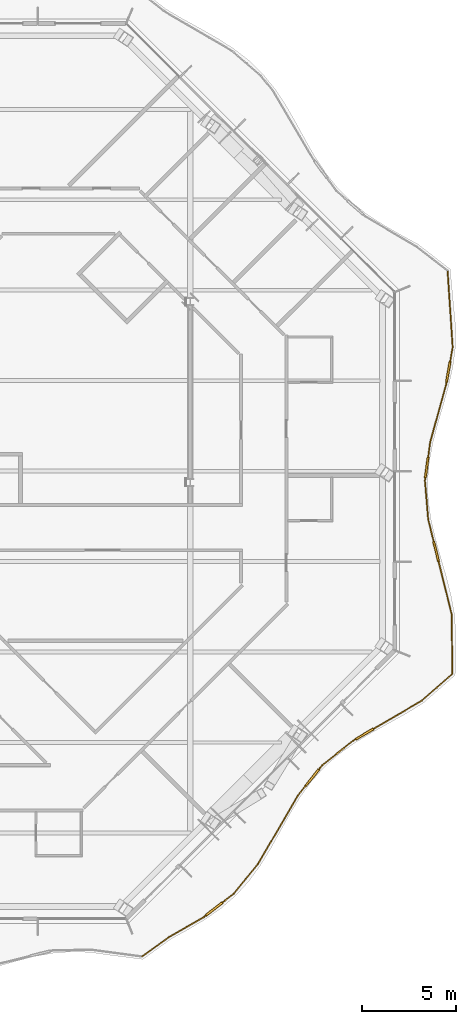
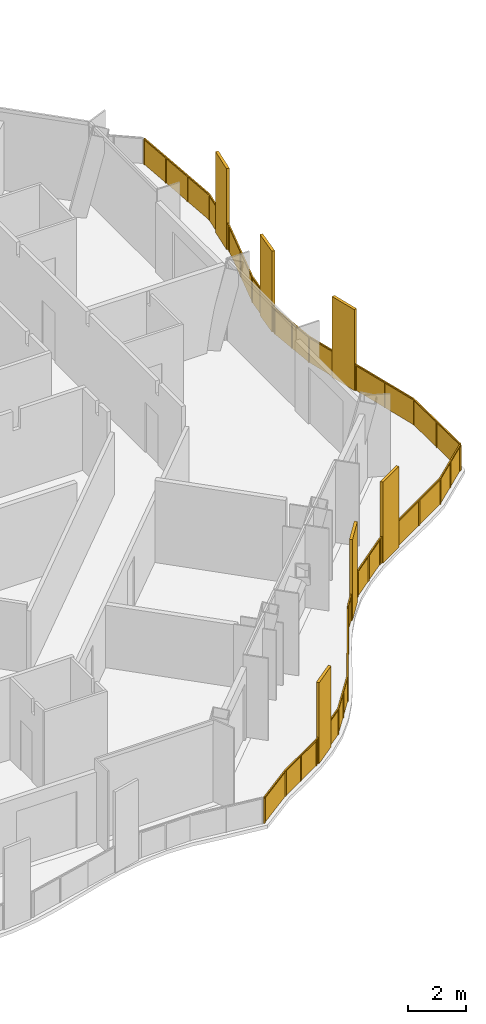
# One storey, part 17 of 19: 2 railings.
"""IFC4 building model written with IfcOpenShell, lengths in metres."""

from ifc_helpers import new_model, si_unit, direction, frame, origin, origin_2d, place, context, subcontext, project, spatial, polyline, rectangle, outline, extrude, material, type_object, element, save


model = new_model("IFC4")

# Units and contexts
model_context = context("Model", 3, precision=1e-05, world=origin(), true_north=direction((0.0, 1.0)))
body_context = subcontext(model_context, "Body", "Model", "MODEL_VIEW")
ifc_project = project(units=[si_unit("LENGTHUNIT", "METRE"), si_unit("AREAUNIT", "SQUARE_METRE"), si_unit("VOLUMEUNIT", "CUBIC_METRE"), si_unit("PLANEANGLEUNIT", "RADIAN"), si_unit("MASSUNIT", "GRAM", prefix="KILO")], contexts=[model_context])

# Site, building, storey
site_placement = place(None, origin())
site = spatial("IfcSite", under=ifc_project, at=site_placement, CompositionType="ELEMENT")
building_placement = place(site_placement, origin())
building = spatial("IfcBuilding", under=site, at=building_placement, Name="Cairn Pilgrim Tower", CompositionType="ELEMENT")
storey_placement = place(building_placement, frame((0.0, 0.0, 193.800048828125)))
storey = spatial("IfcBuildingStorey", under=building, at=storey_placement, Name="L49", CompositionType="ELEMENT", Elevation=193.800048828125)

# Railings
ifc_material = material(Name="Bronze anodised aluminium rail, posts and fin screens with laminated glass infill", Category="aluminium")
railing_type = type_object("IfcRailingType", Name="BALCONY GUARD WITH FIN SCREENS", PredefinedType="GUARDRAIL", material=ifc_material)
railing_1_placement = place(storey_placement, frame((28.6513671875, -25.15283203125, 0.0)))
element("IfcRailing", 1, at=railing_1_placement, inside=storey, type_object=railing_type, Name="Balcony guard BGF-2 with fin screens", PredefinedType="GUARDRAIL", context=body_context, shape_type="SweptSolid", body=[
    extrude(rectangle(XDim=0.050048828125, YDim=0.050048828125, at=origin_2d()), frame((0.0, 0.0, 1.0751953125), z_axis=(0.809139234835, 0.587616965932, 0.0), x_axis=(-0.587616965932, 0.809139234835, 0.0)), (0.0, 0.0, 1.0), 1.77978515625),
    extrude(rectangle(XDim=0.050048828125, YDim=0.050048828125, at=origin_2d()), frame((1.440185546875, 1.0458984375, 1.0751953125), z_axis=(0.867643704603, 0.497186486002, 0.0), x_axis=(-0.497186486002, 0.867643704603, 0.0)), (0.0, 0.0, 1.0), 2.107666015625),
    extrude(rectangle(XDim=1.10009765625, YDim=0.110107421875, at=origin_2d()), frame((3.8203125, 2.524658203125, 0.0), z_axis=(0.0, 0.0, 1.0), x_axis=(0.788064599698, 0.615592549259, 0.0)), (0.0, 0.0, 1.0), 3.39990234375),
    extrude(rectangle(XDim=0.050048828125, YDim=0.050048828125, at=origin_2d()), frame((3.268798828125, 2.09375, 1.0751953125), z_axis=(0.788064599698, 0.615592549259, 0.0), x_axis=(-0.615592549259, 0.788064599698, 0.0)), (0.0, 0.0, 1.0), 0.14990234375),
    extrude(rectangle(XDim=0.050048828125, YDim=0.050048828125, at=origin_2d()), frame((4.25390625, 2.86328125, 1.0751953125), z_axis=(0.788064599698, 0.615592549259, 0.0), x_axis=(-0.615592549259, 0.788064599698, 0.0)), (0.0, 0.0, 1.0), 0.774169921875),
    extrude(rectangle(XDim=0.050048828125, YDim=0.050048828125, at=origin_2d()), frame((4.864013671875, 3.33984375, 1.0751953125), z_axis=(0.632980817128, 0.774167478746, 0.0), x_axis=(-0.774167478746, 0.632980817128, 0.0)), (0.0, 0.0, 1.0), 2.01806640625),
    extrude(rectangle(XDim=0.050048828125, YDim=0.050048828125, at=origin_2d()), frame((6.141357421875, 4.902099609375, 1.0751953125), z_axis=(0.503114016785, 0.864220044962, 0.0), x_axis=(-0.864220044962, 0.503114016785, 0.0)), (0.0, 0.0, 1.0), 4.212158203125),
    extrude(rectangle(XDim=1.10009765625, YDim=0.110107421875, at=origin_2d()), frame((9.022216796875, 9.48779296875, 0.0), z_axis=(0.0, 0.0, 1.0), x_axis=(0.627315671884, 0.778765078704, 0.0)), (0.0, 0.0, 1.0), 3.39990234375),
    extrude(rectangle(XDim=0.050048828125, YDim=0.050048828125, at=origin_2d()), frame((8.260498046875, 8.542236328125, 1.0751953125), z_axis=(0.627315671884, 0.778765078704, 0.0), x_axis=(-0.778765078704, 0.627315671884, 0.0)), (0.0, 0.0, 1.0), 0.664306640625),
    extrude(rectangle(XDim=0.050048828125, YDim=0.050048828125, at=origin_2d()), frame((9.3671875, 9.916015625, 1.0751953125), z_axis=(0.627315671884, 0.778765078704, 0.0), x_axis=(-0.778765078704, 0.627315671884, 0.0)), (0.0, 0.0, 1.0), 0.31201171875),
    extrude(rectangle(XDim=0.050048828125, YDim=0.050048828125, at=origin_2d()), frame((9.56298828125, 10.1591796875, 1.0751953125), z_axis=(0.783578559331, 0.621292717934, 0.0), x_axis=(-0.621292717934, 0.783578559331, 0.0)), (0.0, 0.0, 1.0), 2.07763671875),
    extrude(rectangle(XDim=1.10009765625, YDim=0.110107421875, at=origin_2d()), frame((11.7958984375, 11.80224609375, 0.0), z_axis=(0.0, 0.0, 1.0), x_axis=(0.864090116755, 0.503337133666, 0.0)), (0.0, 0.0, 1.0), 3.39990234375),
    extrude(rectangle(XDim=0.050048828125, YDim=0.050048828125, at=origin_2d()), frame((11.19091796875, 11.449951171875, 1.0751953125), z_axis=(0.864090116755, 0.503337133666, 0.0), x_axis=(-0.503337133666, 0.864090116755, 0.0)), (0.0, 0.0, 1.0), 0.150146484375),
    extrude(rectangle(XDim=0.050048828125, YDim=0.050048828125, at=origin_2d()), frame((12.27099609375, 12.0791015625, 1.0751953125), z_axis=(0.864090116755, 0.503337133666, 0.0), x_axis=(-0.503337133666, 0.864090116755, 0.0)), (0.0, 0.0, 1.0), 2.958740234375),
    extrude(rectangle(XDim=0.050048828125, YDim=0.050048828125, at=origin_2d()), frame((14.82763671875, 13.568359375, 1.0751953125), z_axis=(0.752720326501, 0.658340421114, 0.0), x_axis=(-0.658340421114, 0.752720326501, 0.0)), (0.0, 0.0, 1.0), 2.105712890625),
    extrude(rectangle(XDim=0.050048828125, YDim=0.050048828125, at=origin_2d()), origin(), (0.0, 0.0, 1.0), 1.050048828125),
    extrude(rectangle(XDim=0.050048828125, YDim=0.050048828125, at=origin_2d()), frame((1.440185546875, 1.0458984375, 0.0)), (0.0, 0.0, 1.0), 1.050048828125),
    extrude(rectangle(XDim=0.050048828125, YDim=0.050048828125, at=origin_2d()), frame((2.3544921875, 1.56982421875, 0.0)), (0.0, 0.0, 1.0), 1.050048828125),
    extrude(rectangle(XDim=0.050048828125, YDim=0.050048828125, at=origin_2d()), frame((3.268798828125, 2.09375, 0.0)), (0.0, 0.0, 1.0), 1.050048828125),
    extrude(rectangle(XDim=0.050048828125, YDim=0.050048828125, at=origin_2d()), frame((3.3671875, 2.170654296875, 0.0)), (0.0, 0.0, 1.0), 1.050048828125),
    extrude(rectangle(XDim=0.050048828125, YDim=0.050048828125, at=origin_2d()), frame((4.2734375, 2.878662109375, 0.0)), (0.0, 0.0, 1.0), 1.050048828125),
    extrude(rectangle(XDim=0.050048828125, YDim=0.050048828125, at=origin_2d()), frame((4.864013671875, 3.33984375, 0.0)), (0.0, 0.0, 1.0), 1.050048828125),
    extrude(rectangle(XDim=0.050048828125, YDim=0.050048828125, at=origin_2d()), frame((5.502685546875, 4.12109375, 0.0)), (0.0, 0.0, 1.0), 1.050048828125),
    extrude(rectangle(XDim=0.050048828125, YDim=0.050048828125, at=origin_2d()), frame((6.141357421875, 4.902099609375, 0.0)), (0.0, 0.0, 1.0), 1.050048828125),
    extrude(rectangle(XDim=0.050048828125, YDim=0.050048828125, at=origin_2d()), frame((6.84765625, 6.115478515625, 0.0)), (0.0, 0.0, 1.0), 1.050048828125),
    extrude(rectangle(XDim=0.050048828125, YDim=0.050048828125, at=origin_2d()), frame((7.55419921875, 7.328857421875, 0.0)), (0.0, 0.0, 1.0), 1.050048828125),
    extrude(rectangle(XDim=0.050048828125, YDim=0.050048828125, at=origin_2d()), frame((8.260498046875, 8.542236328125, 0.0)), (0.0, 0.0, 1.0), 1.050048828125),
    extrude(rectangle(XDim=0.050048828125, YDim=0.050048828125, at=origin_2d()), frame((8.661376953125, 9.0400390625, 0.0)), (0.0, 0.0, 1.0), 1.050048828125),
    extrude(rectangle(XDim=0.050048828125, YDim=0.050048828125, at=origin_2d()), frame((9.3828125, 9.935546875, 0.0)), (0.0, 0.0, 1.0), 1.050048828125),
    extrude(rectangle(XDim=0.050048828125, YDim=0.050048828125, at=origin_2d()), frame((9.56298828125, 10.1591796875, 0.0)), (0.0, 0.0, 1.0), 1.050048828125),
    extrude(rectangle(XDim=0.050048828125, YDim=0.050048828125, at=origin_2d()), frame((10.376953125, 10.8046875, 0.0)), (0.0, 0.0, 1.0), 1.050048828125),
    extrude(rectangle(XDim=0.050048828125, YDim=0.050048828125, at=origin_2d()), frame((11.19091796875, 11.449951171875, 0.0)), (0.0, 0.0, 1.0), 1.050048828125),
    extrude(rectangle(XDim=0.050048828125, YDim=0.050048828125, at=origin_2d()), frame((11.298828125, 11.512939453125, 0.0)), (0.0, 0.0, 1.0), 1.050048828125),
    extrude(rectangle(XDim=0.050048828125, YDim=0.050048828125, at=origin_2d()), frame((12.292724609375, 12.091796875, 0.0)), (0.0, 0.0, 1.0), 1.050048828125),
    extrude(rectangle(XDim=0.050048828125, YDim=0.050048828125, at=origin_2d()), frame((13.56005859375, 12.830078125, 0.0)), (0.0, 0.0, 1.0), 1.050048828125),
    extrude(rectangle(XDim=0.050048828125, YDim=0.050048828125, at=origin_2d()), frame((14.82763671875, 13.568359375, 0.0)), (0.0, 0.0, 1.0), 1.050048828125),
    extrude(rectangle(XDim=0.050048828125, YDim=0.050048828125, at=origin_2d()), frame((15.6201171875, 14.261474609375, 0.0)), (0.0, 0.0, 1.0), 1.050048828125),
    extrude(rectangle(XDim=0.050048828125, YDim=0.050048828125, at=origin_2d()), frame((16.41259765625, 14.95458984375, 0.0)), (0.0, 0.0, 1.0), 1.050048828125),
    extrude(outline(polyline([(0.02490234375, 0.0), (1.7548828125, 0.0), (1.7548828125, 1.050048828125), (0.02490234375, 1.050048828125), (0.02490234375, 0.0)])), frame((-0.00341796875, 0.0048828125, 0.0), z_axis=(0.587616965932, -0.809139234835, 0.0), x_axis=(0.809139234835, 0.587616965932, 0.0)), (0.0, 0.0, 1.0), 0.011962890625),
    extrude(outline(polyline([(0.02490234375, 0.0), (1.02880859375, 0.0), (1.02880859375, 1.050048828125), (0.02490234375, 1.050048828125), (0.02490234375, 0.0)])), frame((1.437255859375, 1.051025390625, 0.0), z_axis=(0.497186486002, -0.867643704603, 0.0), x_axis=(0.867643704603, 0.497186486002, 0.0)), (0.0, 0.0, 1.0), 0.011962890625),
    extrude(outline(polyline([(0.02490234375, 0.0), (1.02880859375, 0.0), (1.02880859375, 1.050048828125), (0.02490234375, 1.050048828125), (0.02490234375, 0.0)])), frame((2.3515625, 1.574951171875, 0.0), z_axis=(0.497186486002, -0.867643704603, 0.0), x_axis=(0.867643704603, 0.497186486002, 0.0)), (0.0, 0.0, 1.0), 0.011962890625),
    extrude(outline(polyline([(0.02490234375, 0.0), (0.099853515625, 0.0), (0.099853515625, 1.050048828125), (0.02490234375, 1.050048828125), (0.02490234375, 0.0)])), frame((3.26513671875, 2.098388671875, 0.0), z_axis=(0.615592549259, -0.788064599698, 0.0), x_axis=(0.788064599698, 0.615592549259, 0.0)), (0.0, 0.0, 1.0), 0.011962890625),
    extrude(outline(polyline([(0.02490234375, 0.0), (0.72412109375, 0.0), (0.72412109375, 1.050048828125), (0.02490234375, 1.050048828125), (0.02490234375, 0.0)])), frame((4.269775390625, 2.88330078125, 0.0), z_axis=(0.615592549259, -0.788064599698, 0.0), x_axis=(0.788064599698, 0.615592549259, 0.0)), (0.0, 0.0, 1.0), 0.011962890625),
    extrude(outline(polyline([(0.02490234375, 0.0), (0.98388671875, 0.0), (0.98388671875, 1.050048828125), (0.02490234375, 1.050048828125), (0.02490234375, 0.0)])), frame((4.859375, 3.34375, 0.0), z_axis=(0.774167478746, -0.632980817128, 0.0), x_axis=(0.632980817128, 0.774167478746, 0.0)), (0.0, 0.0, 1.0), 0.011962890625),
    extrude(outline(polyline([(0.02490234375, 0.0), (0.98388671875, 0.0), (0.98388671875, 1.050048828125), (0.02490234375, 1.050048828125), (0.02490234375, 0.0)])), frame((5.498046875, 4.124755859375, 0.0), z_axis=(0.774167478746, -0.632980817128, 0.0), x_axis=(0.632980817128, 0.774167478746, 0.0)), (0.0, 0.0, 1.0), 0.011962890625),
    extrude(outline(polyline([(0.02490234375, 0.0), (1.37890625, 0.0), (1.37890625, 1.050048828125), (0.02490234375, 1.050048828125), (0.02490234375, 0.0)])), frame((6.13623046875, 4.905029296875, 0.0), z_axis=(0.864220044962, -0.503114016785, 0.0), x_axis=(0.503114016785, 0.864220044962, 0.0)), (0.0, 0.0, 1.0), 0.011962890625),
    extrude(outline(polyline([(0.02490234375, 0.0), (1.37890625, 0.0), (1.37890625, 1.050048828125), (0.02490234375, 1.050048828125), (0.02490234375, 0.0)])), frame((6.842529296875, 6.118408203125, 0.0), z_axis=(0.864220044962, -0.503114016785, 0.0), x_axis=(0.503114016785, 0.864220044962, 0.0)), (0.0, 0.0, 1.0), 0.011962890625),
    extrude(outline(polyline([(0.02490234375, 0.0), (1.37890625, 0.0), (1.37890625, 1.050048828125), (0.02490234375, 1.050048828125), (0.02490234375, 0.0)])), frame((7.548828125, 7.331787109375, 0.0), z_axis=(0.864220044962, -0.503114016785, 0.0), x_axis=(0.503114016785, 0.864220044962, 0.0)), (0.0, 0.0, 1.0), 0.011962890625),
    extrude(outline(polyline([(0.02490234375, 0.0), (0.6142578125, 0.0), (0.6142578125, 1.050048828125), (0.02490234375, 1.050048828125), (0.02490234375, 0.0)])), frame((8.255859375, 8.5458984375, 0.0), z_axis=(0.778765078704, -0.627315671884, 0.0), x_axis=(0.627315671884, 0.778765078704, 0.0)), (0.0, 0.0, 1.0), 0.011962890625),
    extrude(outline(polyline([(0.02490234375, 0.0), (0.261962890625, 0.0), (0.261962890625, 1.050048828125), (0.02490234375, 1.050048828125), (0.02490234375, 0.0)])), frame((9.378173828125, 9.939453125, 0.0), z_axis=(0.778765078704, -0.627315671884, 0.0), x_axis=(0.627315671884, 0.778765078704, 0.0)), (0.0, 0.0, 1.0), 0.011962890625),
    extrude(outline(polyline([(0.02490234375, 0.0), (1.013671875, 0.0), (1.013671875, 1.050048828125), (0.02490234375, 1.050048828125), (0.02490234375, 0.0)])), frame((9.559326171875, 10.163818359375, 0.0), z_axis=(0.621292717934, -0.783578559331, 0.0), x_axis=(0.783578559331, 0.621292717934, 0.0)), (0.0, 0.0, 1.0), 0.011962890625),
    extrude(outline(polyline([(0.02490234375, 0.0), (1.013671875, 0.0), (1.013671875, 1.050048828125), (0.02490234375, 1.050048828125), (0.02490234375, 0.0)])), frame((10.373291015625, 10.809326171875, 0.0), z_axis=(0.621292717934, -0.783578559331, 0.0), x_axis=(0.783578559331, 0.621292717934, 0.0)), (0.0, 0.0, 1.0), 0.011962890625),
    extrude(outline(polyline([(0.02490234375, 0.0), (0.10009765625, 0.0), (0.10009765625, 1.050048828125), (0.02490234375, 1.050048828125), (0.02490234375, 0.0)])), frame((11.18798828125, 11.455078125, 0.0), z_axis=(0.503337133666, -0.864090116755, 0.0), x_axis=(0.864090116755, 0.503337133666, 0.0)), (0.0, 0.0, 1.0), 0.011962890625),
    extrude(outline(polyline([(0.02490234375, 0.0), (1.44189453125, 0.0), (1.44189453125, 1.050048828125), (0.02490234375, 1.050048828125), (0.02490234375, 0.0)])), frame((12.289794921875, 12.096923828125, 0.0), z_axis=(0.503337133666, -0.864090116755, 0.0), x_axis=(0.864090116755, 0.503337133666, 0.0)), (0.0, 0.0, 1.0), 0.011962890625),
    extrude(outline(polyline([(0.02490234375, 0.0), (1.44189453125, 0.0), (1.44189453125, 1.050048828125), (0.02490234375, 1.050048828125), (0.02490234375, 0.0)])), frame((13.55712890625, 12.835205078125, 0.0), z_axis=(0.503337133666, -0.864090116755, 0.0), x_axis=(0.864090116755, 0.503337133666, 0.0)), (0.0, 0.0, 1.0), 0.011962890625),
    extrude(outline(polyline([(0.02490234375, 0.0), (1.02783203125, 0.0), (1.02783203125, 1.050048828125), (0.02490234375, 1.050048828125), (0.02490234375, 0.0)])), frame((14.82373046875, 13.57275390625, 0.0), z_axis=(0.658340421114, -0.752720326501, 0.0), x_axis=(0.752720326501, 0.658340421114, 0.0)), (0.0, 0.0, 1.0), 0.011962890625),
    extrude(outline(polyline([(0.02490234375, 0.0), (1.02783203125, 0.0), (1.02783203125, 1.050048828125), (0.02490234375, 1.050048828125), (0.02490234375, 0.0)])), frame((15.6162109375, 14.265869140625, 0.0), z_axis=(0.658340421114, -0.752720326501, 0.0), x_axis=(0.752720326501, 0.658340421114, 0.0)), (0.0, 0.0, 1.0), 0.011962890625),
])
railing_2_placement = place(storey_placement, frame((45.109130859375, -10.15869140625, 0.0)))
element("IfcRailing", 2, at=railing_2_placement, inside=storey, type_object=railing_type, Name="Balcony guard BGF-3 with fin screens", PredefinedType="GUARDRAIL", context=body_context, shape_type="SweptSolid", body=[
    extrude(rectangle(XDim=0.050048828125, YDim=0.050048828125, at=origin_2d()), frame((0.0, 0.0, 1.0751953125), z_axis=(-0.012280859678, 0.999924587399, 0.0), x_axis=(-0.999924587399, -0.012280859678, 0.0)), (0.0, 0.0, 1.0), 3.160888671875),
    extrude(rectangle(XDim=1.10009765625, YDim=0.110107421875, at=origin_2d()), frame((-0.863525390625, 6.5009765625, 0.0), z_axis=(0.0, 0.0, 1.0), x_axis=(-0.239728091287, 0.970840070376, 0.0)), (0.0, 0.0, 1.0), 3.39990234375),
    extrude(rectangle(XDim=0.050048828125, YDim=0.050048828125, at=origin_2d()), frame((-0.038818359375, 3.16064453125, 1.0751953125), z_axis=(-0.239728091287, 0.970840070376, 0.0), x_axis=(-0.970840070376, -0.239728091287, 0.0)), (0.0, 0.0, 1.0), 2.890625),
    extrude(rectangle(XDim=0.050048828125, YDim=0.050048828125, at=origin_2d()), frame((-0.995361328125, 7.034912109375, 1.0751953125), z_axis=(-0.239728091287, 0.970840070376, 0.0), x_axis=(-0.970840070376, -0.239728091287, 0.0)), (0.0, 0.0, 1.0), 1.208251953125),
    extrude(rectangle(XDim=0.050048828125, YDim=0.050048828125, at=origin_2d()), frame((-1.28515625, 8.2080078125, 1.0751953125), z_axis=(-0.083104430635, 0.996540843924, 0.0), x_axis=(-0.996540843924, -0.083104430635, 0.0)), (0.0, 0.0, 1.0), 2.056396484375),
    extrude(rectangle(XDim=1.10009765625, YDim=0.110107421875, at=origin_2d()), frame((-1.36083984375, 10.950927734375, 0.0), z_axis=(0.0, 0.0, 1.0), x_axis=(0.135861789912, 0.990727800176, 0.0)), (0.0, 0.0, 1.0), 3.39990234375),
    extrude(rectangle(XDim=0.050048828125, YDim=0.050048828125, at=origin_2d()), frame((-1.4560546875, 10.25732421875, 1.0751953125), z_axis=(0.135861789912, 0.990727800176, 0.0), x_axis=(-0.990727800176, 0.135861789912, 0.0)), (0.0, 0.0, 1.0), 0.150146484375),
    extrude(rectangle(XDim=0.050048828125, YDim=0.050048828125, at=origin_2d()), frame((-1.2861328125, 11.495849609375, 1.0751953125), z_axis=(0.135861789912, 0.990727800176, 0.0), x_axis=(-0.990727800176, 0.135861789912, 0.0)), (0.0, 0.0, 1.0), 0.81640625),
    extrude(rectangle(XDim=0.050048828125, YDim=0.050048828125, at=origin_2d()), frame((-1.17529296875, 12.3046875, 1.0751953125), z_axis=(0.266527812544, 0.963827227848, 0.0), x_axis=(-0.963827227848, 0.266527812544, 0.0)), (0.0, 0.0, 1.0), 3.148193359375),
    extrude(rectangle(XDim=1.10009765625, YDim=0.110107421875, at=origin_2d()), frame((-0.215087890625, 16.028564453125, 0.0), z_axis=(0.0, 0.0, 1.0), x_axis=(0.172988104218, 0.984923913711, 0.0)), (0.0, 0.0, 1.0), 3.39990234375),
    extrude(rectangle(XDim=0.050048828125, YDim=0.050048828125, at=origin_2d()), frame((-0.336181640625, 15.339111328125, 1.0751953125), z_axis=(0.172988104218, 0.984923913711, 0.0), x_axis=(-0.984923913711, 0.172988104218, 0.0)), (0.0, 0.0, 1.0), 0.150146484375),
    extrude(rectangle(XDim=0.050048828125, YDim=0.050048828125, at=origin_2d()), frame((-0.119873046875, 16.5703125, 1.0751953125), z_axis=(0.172988104218, 0.984923913711, 0.0), x_axis=(-0.984923913711, 0.172988104218, 0.0)), (0.0, 0.0, 1.0), 0.776611328125),
    extrude(rectangle(XDim=0.050048828125, YDim=0.050048828125, at=origin_2d()), frame((0.014404296875, 17.335205078125, 1.0751953125), z_axis=(-0.066187916539, 0.997807175613, 0.0), x_axis=(-0.997807175613, -0.066187916539, 0.0)), (0.0, 0.0, 1.0), 4.01318359375),
    extrude(rectangle(XDim=0.050048828125, YDim=0.050048828125, at=origin_2d()), origin(), (0.0, 0.0, 1.0), 1.050048828125),
    extrude(rectangle(XDim=0.050048828125, YDim=0.050048828125, at=origin_2d()), frame((-0.01953125, 1.580322265625, 0.0)), (0.0, 0.0, 1.0), 1.050048828125),
    extrude(rectangle(XDim=0.050048828125, YDim=0.050048828125, at=origin_2d()), frame((-0.038818359375, 3.16064453125, 0.0)), (0.0, 0.0, 1.0), 1.050048828125),
    extrude(rectangle(XDim=0.050048828125, YDim=0.050048828125, at=origin_2d()), frame((-0.38232421875, 4.5517578125, 0.0)), (0.0, 0.0, 1.0), 1.050048828125),
    extrude(rectangle(XDim=0.050048828125, YDim=0.050048828125, at=origin_2d()), frame((-0.725830078125, 5.942626953125, 0.0)), (0.0, 0.0, 1.0), 1.050048828125),
    extrude(rectangle(XDim=0.050048828125, YDim=0.050048828125, at=origin_2d()), frame((-1.00146484375, 7.05908203125, 0.0)), (0.0, 0.0, 1.0), 1.050048828125),
    extrude(rectangle(XDim=0.050048828125, YDim=0.050048828125, at=origin_2d()), frame((-1.28515625, 8.2080078125, 0.0)), (0.0, 0.0, 1.0), 1.050048828125),
    extrude(rectangle(XDim=0.050048828125, YDim=0.050048828125, at=origin_2d()), frame((-1.37060546875, 9.232666015625, 0.0)), (0.0, 0.0, 1.0), 1.050048828125),
    extrude(rectangle(XDim=0.050048828125, YDim=0.050048828125, at=origin_2d()), frame((-1.4560546875, 10.25732421875, 0.0)), (0.0, 0.0, 1.0), 1.050048828125),
    extrude(rectangle(XDim=0.050048828125, YDim=0.050048828125, at=origin_2d()), frame((-1.43896484375, 10.38134765625, 0.0)), (0.0, 0.0, 1.0), 1.050048828125),
    extrude(rectangle(XDim=0.050048828125, YDim=0.050048828125, at=origin_2d()), frame((-1.28271484375, 11.520751953125, 0.0)), (0.0, 0.0, 1.0), 1.050048828125),
    extrude(rectangle(XDim=0.050048828125, YDim=0.050048828125, at=origin_2d()), frame((-1.17529296875, 12.3046875, 0.0)), (0.0, 0.0, 1.0), 1.050048828125),
    extrude(rectangle(XDim=0.050048828125, YDim=0.050048828125, at=origin_2d()), frame((-0.755859375, 13.82177734375, 0.0)), (0.0, 0.0, 1.0), 1.050048828125),
    extrude(rectangle(XDim=0.050048828125, YDim=0.050048828125, at=origin_2d()), frame((-0.336181640625, 15.339111328125, 0.0)), (0.0, 0.0, 1.0), 1.050048828125),
    extrude(rectangle(XDim=0.050048828125, YDim=0.050048828125, at=origin_2d()), frame((-0.314453125, 15.46240234375, 0.0)), (0.0, 0.0, 1.0), 1.050048828125),
    extrude(rectangle(XDim=0.050048828125, YDim=0.050048828125, at=origin_2d()), frame((-0.11572265625, 16.594970703125, 0.0)), (0.0, 0.0, 1.0), 1.050048828125),
    extrude(rectangle(XDim=0.050048828125, YDim=0.050048828125, at=origin_2d()), frame((0.014404296875, 17.335205078125, 0.0)), (0.0, 0.0, 1.0), 1.050048828125),
    extrude(rectangle(XDim=0.050048828125, YDim=0.050048828125, at=origin_2d()), frame((-0.07421875, 18.669921875, 0.0)), (0.0, 0.0, 1.0), 1.050048828125),
    extrude(rectangle(XDim=0.050048828125, YDim=0.050048828125, at=origin_2d()), frame((-0.16259765625, 20.0048828125, 0.0)), (0.0, 0.0, 1.0), 1.050048828125),
    extrude(rectangle(XDim=0.050048828125, YDim=0.050048828125, at=origin_2d()), frame((-0.251220703125, 21.339599609375, 0.0)), (0.0, 0.0, 1.0), 1.050048828125),
    extrude(outline(polyline([(0.02490234375, 0.0), (1.555419921875, 0.0), (1.555419921875, 1.050048828125), (0.02490234375, 1.050048828125), (0.02490234375, 0.0)])), frame((-0.005859375, 0.0, 0.0), z_axis=(0.999924587399, 0.012280859678, 0.0), x_axis=(-0.012280859678, 0.999924587399, 0.0)), (0.0, 0.0, 1.0), 0.011962890625),
    extrude(outline(polyline([(0.02490234375, 0.0), (1.555419921875, 0.0), (1.555419921875, 1.050048828125), (0.02490234375, 1.050048828125), (0.02490234375, 0.0)])), frame((-0.025390625, 1.580322265625, 0.0), z_axis=(0.999924587399, 0.012280859678, 0.0), x_axis=(-0.012280859678, 0.999924587399, 0.0)), (0.0, 0.0, 1.0), 0.011962890625),
    extrude(outline(polyline([(0.02490234375, 0.0), (1.40771484375, 0.0), (1.40771484375, 1.050048828125), (0.02490234375, 1.050048828125), (0.02490234375, 0.0)])), frame((-0.044677734375, 3.1591796875, 0.0), z_axis=(0.970840070376, 0.239728091287, 0.0), x_axis=(-0.239728091287, 0.970840070376, 0.0)), (0.0, 0.0, 1.0), 0.011962890625),
    extrude(outline(polyline([(0.02490234375, 0.0), (1.40771484375, 0.0), (1.40771484375, 1.050048828125), (0.02490234375, 1.050048828125), (0.02490234375, 0.0)])), frame((-0.38818359375, 4.55029296875, 0.0), z_axis=(0.970840070376, 0.239728091287, 0.0), x_axis=(-0.239728091287, 0.970840070376, 0.0)), (0.0, 0.0, 1.0), 0.011962890625),
    extrude(outline(polyline([(0.02490234375, 0.0), (1.158203125, 0.0), (1.158203125, 1.050048828125), (0.02490234375, 1.050048828125), (0.02490234375, 0.0)])), frame((-1.00732421875, 7.057861328125, 0.0), z_axis=(0.970840070376, 0.239728091287, 0.0), x_axis=(-0.239728091287, 0.970840070376, 0.0)), (0.0, 0.0, 1.0), 0.011962890625),
    extrude(outline(polyline([(0.02490234375, 0.0), (1.003173828125, 0.0), (1.003173828125, 1.050048828125), (0.02490234375, 1.050048828125), (0.02490234375, 0.0)])), frame((-1.291015625, 8.20751953125, 0.0), z_axis=(0.996540843924, 0.083104430635, 0.0), x_axis=(-0.083104430635, 0.996540843924, 0.0)), (0.0, 0.0, 1.0), 0.011962890625),
    extrude(outline(polyline([(0.02490234375, 0.0), (1.003173828125, 0.0), (1.003173828125, 1.050048828125), (0.02490234375, 1.050048828125), (0.02490234375, 0.0)])), frame((-1.37646484375, 9.232177734375, 0.0), z_axis=(0.996540843924, 0.083104430635, 0.0), x_axis=(-0.083104430635, 0.996540843924, 0.0)), (0.0, 0.0, 1.0), 0.011962890625),
    extrude(outline(polyline([(0.02490234375, 0.0), (0.10009765625, 0.0), (0.10009765625, 1.050048828125), (0.02490234375, 1.050048828125), (0.02490234375, 0.0)])), frame((-1.4619140625, 10.258056640625, 0.0), z_axis=(0.990727800176, -0.135861789912, 0.0), x_axis=(0.135861789912, 0.990727800176, 0.0)), (0.0, 0.0, 1.0), 0.011962890625),
    extrude(outline(polyline([(0.02490234375, 0.0), (0.766357421875, 0.0), (0.766357421875, 1.050048828125), (0.02490234375, 1.050048828125), (0.02490234375, 0.0)])), frame((-1.288818359375, 11.521484375, 0.0), z_axis=(0.990727800176, -0.135861789912, 0.0), x_axis=(0.135861789912, 0.990727800176, 0.0)), (0.0, 0.0, 1.0), 0.011962890625),
    extrude(outline(polyline([(0.02490234375, 0.0), (1.549072265625, 0.0), (1.549072265625, 1.050048828125), (0.02490234375, 1.050048828125), (0.02490234375, 0.0)])), frame((-1.18115234375, 12.306396484375, 0.0), z_axis=(0.963827227848, -0.266527812544, 0.0), x_axis=(0.266527812544, 0.963827227848, 0.0)), (0.0, 0.0, 1.0), 0.011962890625),
    extrude(outline(polyline([(0.02490234375, 0.0), (1.549072265625, 0.0), (1.549072265625, 1.050048828125), (0.02490234375, 1.050048828125), (0.02490234375, 0.0)])), frame((-0.761474609375, 13.823486328125, 0.0), z_axis=(0.963827227848, -0.266527812544, 0.0), x_axis=(0.266527812544, 0.963827227848, 0.0)), (0.0, 0.0, 1.0), 0.011962890625),
    extrude(outline(polyline([(0.02490234375, 0.0), (0.10009765625, 0.0), (0.10009765625, 1.050048828125), (0.02490234375, 1.050048828125), (0.02490234375, 0.0)])), frame((-0.342041015625, 15.340087890625, 0.0), z_axis=(0.984923913711, -0.172988104218, 0.0), x_axis=(0.172988104218, 0.984923913711, 0.0)), (0.0, 0.0, 1.0), 0.011962890625),
    extrude(outline(polyline([(0.02490234375, 0.0), (0.7265625, 0.0), (0.7265625, 1.050048828125), (0.02490234375, 1.050048828125), (0.02490234375, 0.0)])), frame((-0.12158203125, 16.595947265625, 0.0), z_axis=(0.984923913711, -0.172988104218, 0.0), x_axis=(0.172988104218, 0.984923913711, 0.0)), (0.0, 0.0, 1.0), 0.011962890625),
    extrude(outline(polyline([(0.02490234375, 0.0), (1.312744140625, 0.0), (1.312744140625, 1.050048828125), (0.02490234375, 1.050048828125), (0.02490234375, 0.0)])), frame((0.008544921875, 17.334716796875, 0.0), z_axis=(0.997807175613, 0.066187916539, 0.0), x_axis=(-0.066187916539, 0.997807175613, 0.0)), (0.0, 0.0, 1.0), 0.011962890625),
    extrude(outline(polyline([(0.02490234375, 0.0), (1.312744140625, 0.0), (1.312744140625, 1.050048828125), (0.02490234375, 1.050048828125), (0.02490234375, 0.0)])), frame((-0.080078125, 18.669677734375, 0.0), z_axis=(0.997807175613, 0.066187916539, 0.0), x_axis=(-0.066187916539, 0.997807175613, 0.0)), (0.0, 0.0, 1.0), 0.011962890625),
    extrude(outline(polyline([(0.02490234375, 0.0), (1.312744140625, 0.0), (1.312744140625, 1.050048828125), (0.02490234375, 1.050048828125), (0.02490234375, 0.0)])), frame((-0.168701171875, 20.00439453125, 0.0), z_axis=(0.997807175613, 0.066187916539, 0.0), x_axis=(-0.066187916539, 0.997807175613, 0.0)), (0.0, 0.0, 1.0), 0.011962890625),
])

save(model, "model.ifc")
